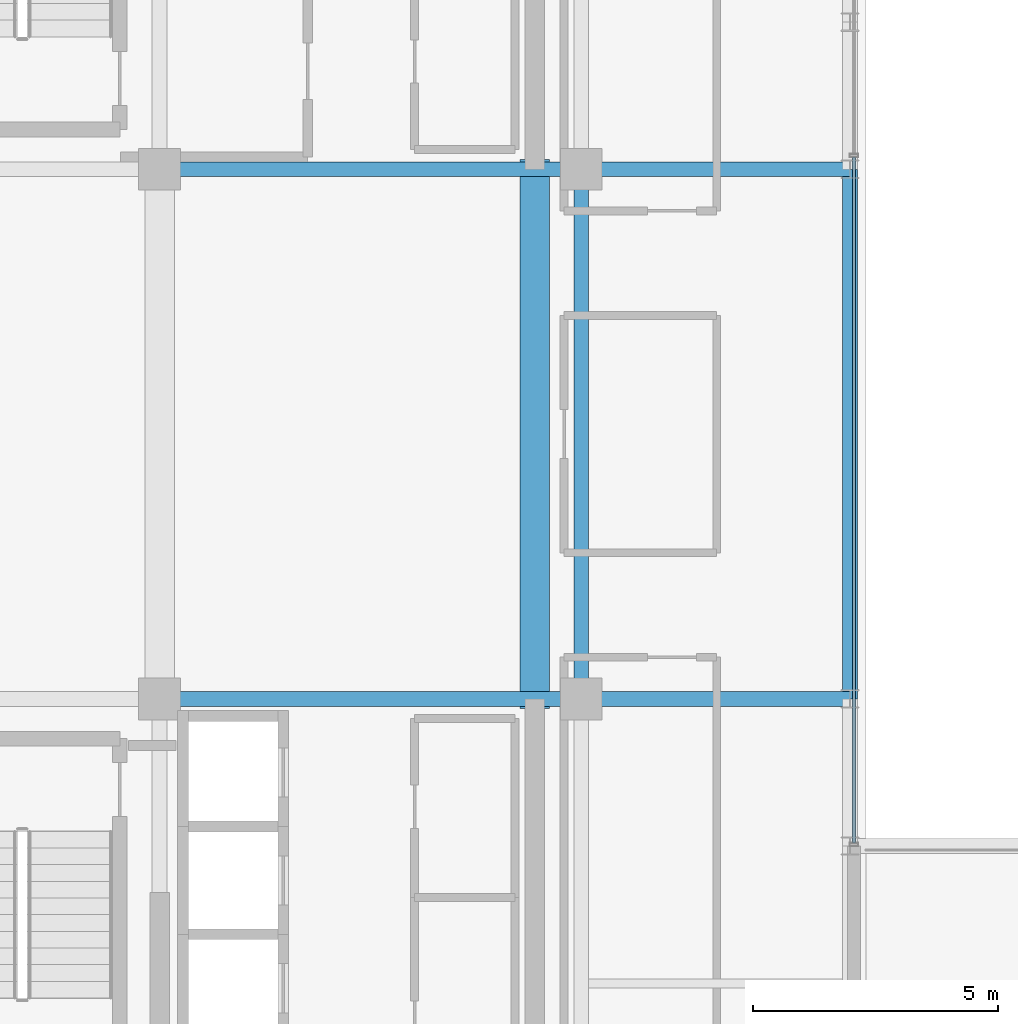
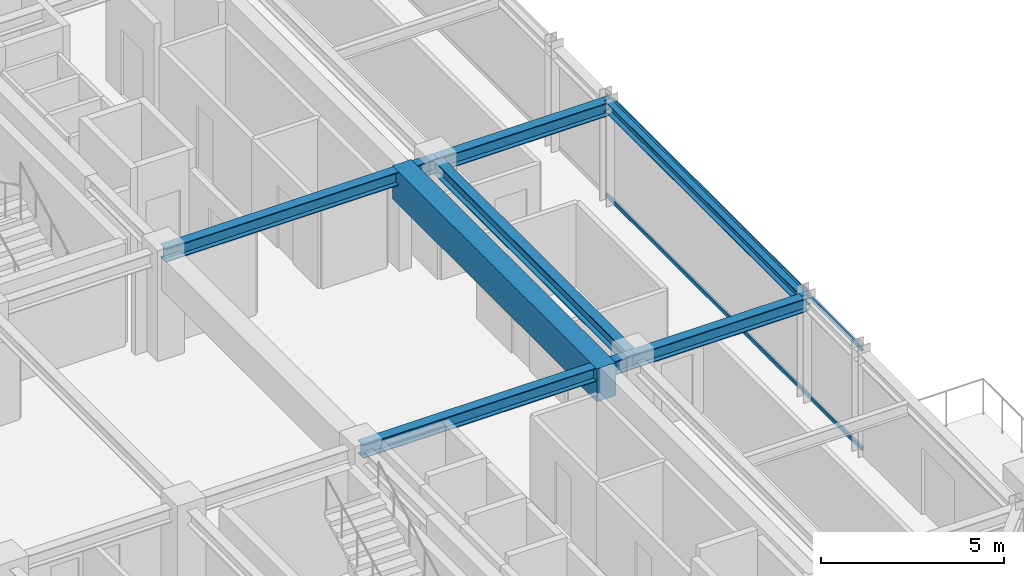
# One storey, part 14 of 31: 7 beams, 2 members, 1 element without a shape of its own.
"""IFC4 building model written with IfcOpenShell, lengths in metres."""

from ifc_helpers import new_model, si_unit, direction, frame, origin, origin_2d, place, context, subcontext, project, spatial, rectangle, hollow_rectangle, i_section, extrude, source, transform, mapped, material, material_profile, profile_set, type_object, element, aggregate, save


model = new_model("IFC4")

# Units and contexts
model_context = context("Model", 3, precision=1e-05, world=origin(), true_north=direction((0.0, 1.0)))
body_context = subcontext(model_context, "Body", "Model", "MODEL_VIEW")
ifc_project = project(units=[si_unit("LENGTHUNIT", "METRE"), si_unit("AREAUNIT", "SQUARE_METRE"), si_unit("VOLUMEUNIT", "CUBIC_METRE"), si_unit("PLANEANGLEUNIT", "RADIAN"), si_unit("MASSUNIT", "GRAM", prefix="KILO")], contexts=[model_context])

# Site, building, storey
site_placement = place(None, origin())
site = spatial("IfcSite", under=ifc_project, at=site_placement, CompositionType="ELEMENT")
building_placement = place(site_placement, origin())
building = spatial("IfcBuilding", under=site, at=building_placement, Name="Nahalor Promenade Grand Hotel", CompositionType="ELEMENT")
storey_placement = place(building_placement, frame((0.0, 0.0, 281.300048828125)))
storey = spatial("IfcBuildingStorey", under=building, at=storey_placement, Name="L72", CompositionType="ELEMENT", Elevation=281.300048828125)

# Beams
ifc_material_1 = material(Name="Concrete B-60 (C50/60)", Category="concrete")
ifc_material_profile_1 = material_profile(ifc_material_1, rectangle(XDim=0.6, YDim=1.1, at=origin_2d()), Name="RC 600x1100")
ifc_profile_set_1 = profile_set([ifc_material_profile_1], Name="Concrete B-60 (C50/60)")
beam_type_1 = type_object("IfcBeamType", Name="Beam-Lintel-RC1100", PredefinedType="LINTEL", material=ifc_profile_set_1)
shared_shape_1 = source(origin(), body_context, "Body", "SweptSolid", [
    extrude(rectangle(XDim=0.6, YDim=1.1, at=origin_2d()), origin(), (0.0, 0.0, 1.0), 11.2001953125),
])
beam_1_placement = place(storey_placement, frame((16.050048828125, -5.60009765625, 2.89990234375), z_axis=(0.0, 1.0, 0.0), x_axis=(-1.0, 0.0, 0.0)))
element("IfcBeam", 1, at=beam_1_placement, inside=storey, type_object=beam_type_1, Name="BM-L72-LINT-E", PredefinedType="LINTEL", context=body_context, shape_type="MappedRepresentation", body=[
    mapped(shared_shape_1, transform((0.0, 0.0, 0.0), scale=1.0)),
])
ifc_material_2 = material(Name="Steel S355JR", Category="steel")
ifc_material_profile_2 = material_profile(ifc_material_2, i_section(OverallWidth=0.3, OverallDepth=0.45, WebThickness=0.014, FlangeThickness=0.026, at=origin_2d()), Name="HEB 450")
ifc_profile_set_2 = profile_set([ifc_material_profile_2], Name="Steel S355JR")
beam_type_2 = type_object("IfcBeamType", Name="Beam-Girder-HEB450", PredefinedType="BEAM", material=ifc_profile_set_2)
shared_shape_2 = source(origin(), body_context, "Body", "SweptSolid", [
    extrude(i_section(OverallWidth=0.3, OverallDepth=0.45, WebThickness=0.014, FlangeThickness=0.026, at=origin_2d()), origin(), (0.0, 0.0, 1.0), 8.60009765625),
])
for number, where, z_axis, x_axis, name in (
    (2, (8.39990234375, -5.39990234375, 3.224853515625), (1.0, 0.0, 0.0), (0.0, 1.0, 0.0), "BM-L72-GX-1-5"),
    (3, (8.39990234375, 5.39990234375, 3.224853515625), (1.0, 0.0, 0.0), (0.0, 1.0, 0.0), "BM-L72-GX-2-5"),
):
    element("IfcBeam", number, at=place(storey_placement, frame(where, z_axis=z_axis, x_axis=x_axis)), inside=storey, type_object=beam_type_2, Name=name, PredefinedType="BEAM", context=body_context, shape_type="MappedRepresentation", body=[
        mapped(shared_shape_2, transform((0.0, 0.0, 0.0), scale=1.0)),
    ])
shared_shape_3 = source(origin(), body_context, "Body", "SweptSolid", [
    extrude(i_section(OverallWidth=0.3, OverallDepth=0.45, WebThickness=0.014, FlangeThickness=0.026, at=origin_2d()), origin(), (0.0, 0.0, 1.0), 10.7998046875),
])
beam_2_placement = place(storey_placement, frame((17.0, -5.39990234375, 3.224853515625), z_axis=(0.0, 1.0, 0.0), x_axis=(-1.0, 0.0, 0.0)))
element("IfcBeam", 4, at=beam_2_placement, inside=storey, type_object=beam_type_2, Name="BM-L72-GY-5-2", PredefinedType="BEAM", context=body_context, shape_type="MappedRepresentation", body=[
    mapped(shared_shape_3, transform((0.0, 0.0, 0.0), scale=1.0)),
])
shared_shape_4 = source(origin(), body_context, "Body", "SweptSolid", [
    extrude(i_section(OverallWidth=0.3, OverallDepth=0.45, WebThickness=0.014, FlangeThickness=0.026, at=origin_2d()), origin(), (0.0, 0.0, 1.0), 5.47998046875),
])
for number, where, z_axis, x_axis, name in (
    (5, (17.0, -5.39990234375, 3.224853515625), (1.0, 0.0, 0.0), (0.0, 1.0, 0.0), "BM-L72-GX-1-6"),
    (6, (17.0, 5.39990234375, 3.224853515625), (1.0, 0.0, 0.0), (0.0, 1.0, 0.0), "BM-L72-GX-2-6"),
):
    element("IfcBeam", number, at=place(storey_placement, frame(where, z_axis=z_axis, x_axis=x_axis)), inside=storey, type_object=beam_type_2, Name=name, PredefinedType="BEAM", context=body_context, shape_type="MappedRepresentation", body=[
        mapped(shared_shape_4, transform((0.0, 0.0, 0.0), scale=1.0)),
    ])
ifc_material_profile_3 = material_profile(ifc_material_2, i_section(OverallWidth=0.3, OverallDepth=0.36, WebThickness=0.0125, FlangeThickness=0.0225, at=origin_2d()), Name="HEB 360")
ifc_profile_set_3 = profile_set([ifc_material_profile_3], Name="Steel S355JR")
beam_type_3 = type_object("IfcBeamType", Name="Beam-Spandrel-HEB360", PredefinedType="SPANDREL", material=ifc_profile_set_3)
shared_shape_5 = source(origin(), body_context, "Body", "SweptSolid", [
    extrude(i_section(OverallWidth=0.3, OverallDepth=0.36, WebThickness=0.0125, FlangeThickness=0.0225, at=origin_2d()), origin(), (0.0, 0.0, 1.0), 10.7998046875),
])
beam_3_placement = place(storey_placement, frame((22.47998046875, -5.39990234375, 3.27001953125), z_axis=(0.0, 1.0, 0.0), x_axis=(-1.0, 0.0, 0.0)))
element("IfcBeam", 7, at=beam_3_placement, inside=storey, type_object=beam_type_3, Name="BM-L72-SP-E-2", PredefinedType="SPANDREL", context=body_context, shape_type="MappedRepresentation", body=[
    mapped(shared_shape_5, transform((0.0, 0.0, 0.0), scale=1.0)),
])

# Curtain wall, members
ifc_material_3 = material(Name="Anodised Bronze Aluminium EN AW-6063 T6", Category="aluminium")
curtain_wall_type = type_object("IfcCurtainWallType", Name="CW2 Typical Hotel Flush Bronze Unitised Curtain Wall", PredefinedType="USERDEFINED", material=ifc_material_3)
curtain_wall_placement = place(storey_placement, origin())
curtain_wall = element("IfcCurtainWall", 8, at=curtain_wall_placement, inside=storey, type_object=curtain_wall_type, Name="L72 Curtain Wall CW-L72-E-3", ObjectType="UNITISED_CURTAIN_WALL", PredefinedType="USERDEFINED")
ifc_material_profile_4 = material_profile(ifc_material_3, hollow_rectangle(XDim=0.065, YDim=0.13, WallThickness=0.004, at=origin_2d()), Name="CWT 65x130x4")
ifc_profile_set_4 = profile_set([ifc_material_profile_4], Name="Anodised Bronze Aluminium EN AW-6063 T6")
member_type = type_object("IfcMemberType", Name="CWT2 Typical Bronze Transom 65x130", PredefinedType="USERDEFINED", material=ifc_profile_set_4)
shared_shape_6 = source(origin(), body_context, "Body", "SweptSolid", [
    extrude(hollow_rectangle(XDim=0.065, YDim=0.13, WallThickness=0.004, at=origin_2d()), origin(), (0.0, 0.0, 1.0), 13.982421875),
])
member_1_placement = place(storey_placement, frame((22.56005859375, -8.3349609375, 0.06494140625), z_axis=(0.0, 1.0, 0.0), x_axis=(-1.0, 0.0, 0.0)))
member_1 = element("IfcMember", 9, at=member_1_placement, type_object=member_type, Name="CW-L72-E-3 Transom 0-0", ObjectType="TRANSOM", PredefinedType="USERDEFINED", context=body_context, shape_type="MappedRepresentation", body=[
    mapped(shared_shape_6, transform((0.0, 0.0, 0.0), scale=1.0)),
])
member_2_placement = place(storey_placement, frame((22.56005859375, -8.3349609375, 3.385009765625), z_axis=(0.0, 1.0, 0.0), x_axis=(-1.0, 0.0, 0.0)))
member_2 = element("IfcMember", 10, at=member_2_placement, type_object=member_type, Name="CW-L72-E-3 Transom 0-1", ObjectType="TRANSOM", PredefinedType="USERDEFINED", context=body_context, shape_type="MappedRepresentation", body=[
    mapped(shared_shape_6, transform((0.0, 0.0, 0.0), scale=1.0)),
])
aggregate(curtain_wall, [member_1, member_2])

save(model, "model.ifc")
